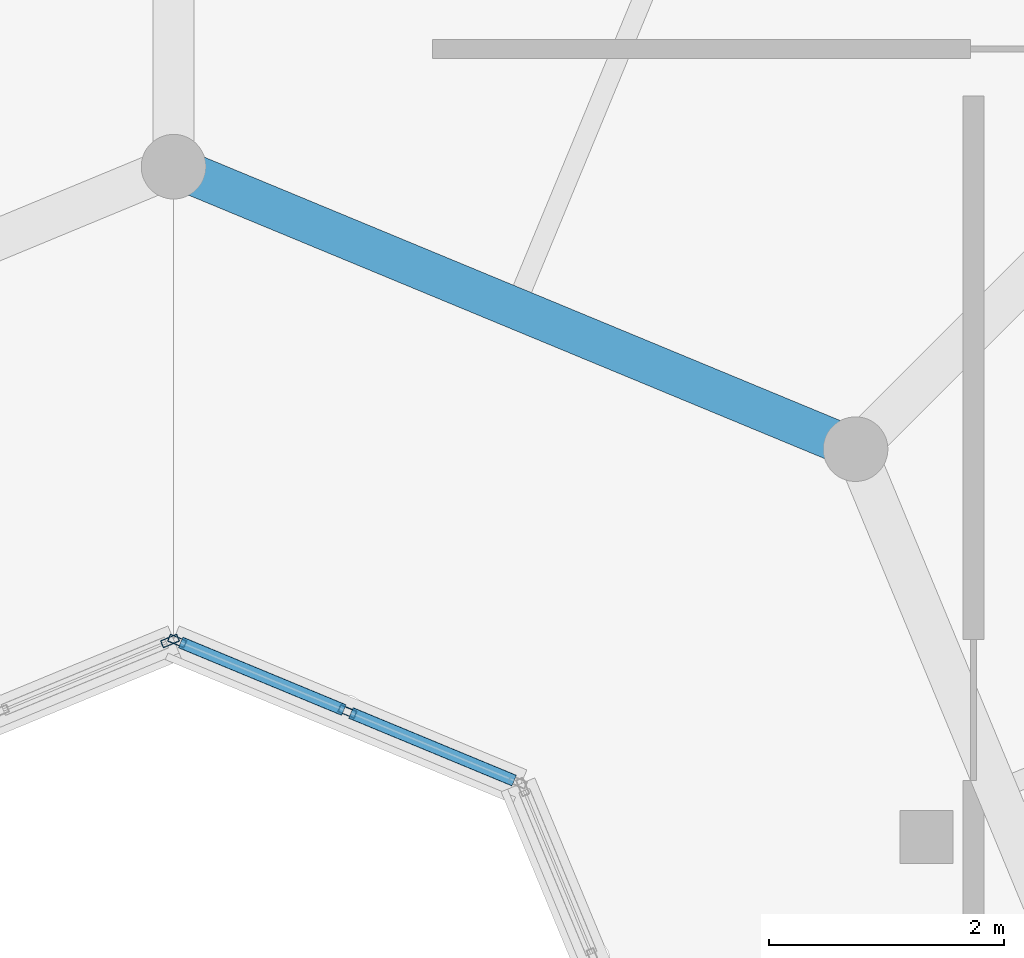
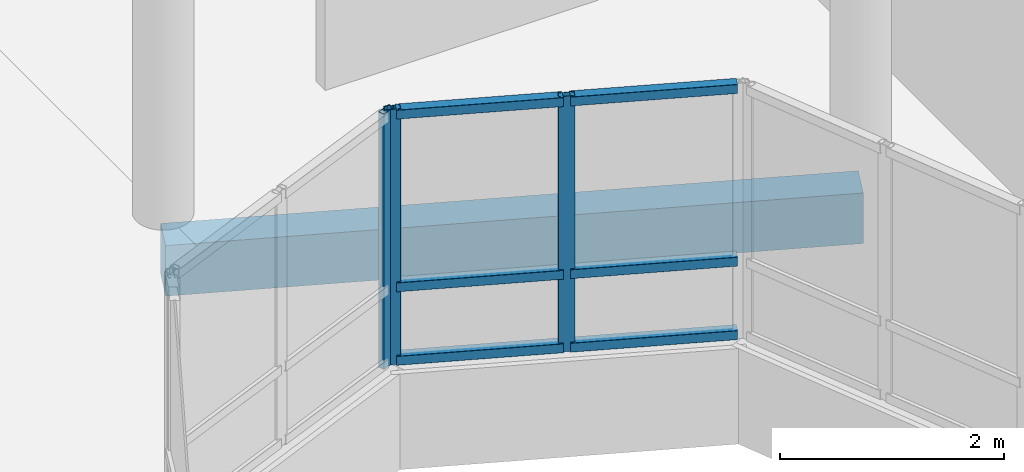
# One storey, part 72 of 121: 9 members, 1 beam, 2 elements without a shape of their own.
"""IFC4 building model written with IfcOpenShell, lengths in metres."""

from ifc_helpers import new_model, si_unit, direction, frame, origin, origin_2d, place, context, subcontext, project, spatial, rectangle, hollow_rectangle, extrude, material, layer, layer_set, material_profile, profile_set, type_object, element, aggregate, save


model = new_model("IFC4")

# Units and contexts
model_context = context("Model", 3, precision=1e-05, world=origin(), true_north=direction((0.0, 1.0)))
body_context = subcontext(model_context, "Body", "Model", "MODEL_VIEW")
ifc_project = project(units=[si_unit("LENGTHUNIT", "METRE"), si_unit("AREAUNIT", "SQUARE_METRE"), si_unit("VOLUMEUNIT", "CUBIC_METRE"), si_unit("PLANEANGLEUNIT", "RADIAN"), si_unit("MASSUNIT", "GRAM", prefix="KILO")], contexts=[model_context])

# Site, building, storey
site_placement = place(None, origin())
site = spatial("IfcSite", under=ifc_project, at=site_placement, CompositionType="ELEMENT")
building_placement = place(site_placement, origin())
building = spatial("IfcBuilding", under=site, at=building_placement, Name="Vespera Passage Community Centre", CompositionType="ELEMENT")
storey_placement = place(building_placement, frame((0.0, 0.0, 8.699951171875)))
storey = spatial("IfcBuildingStorey", under=building, at=storey_placement, Name="L02", CompositionType="ELEMENT", Elevation=8.699951171875)

# Beam
ifc_material_1 = material(Name="Concrete f'c 35 MPa", Category="concrete")
ifc_material_profile_1 = material_profile(ifc_material_1, rectangle(XDim=0.35009765625, YDim=0.550048828125, at=origin_2d()), Name="RC350X550")
ifc_profile_set_1 = profile_set([ifc_material_profile_1], Name="Concrete f'c 35 MPa")
beam_type = type_object("IfcBeamType", Name="BM-J-350X550", PredefinedType="JOIST", material=ifc_profile_set_1)
beam_placement = place(storey_placement, frame((146.79833984375, 30.79833984375, -0.514892578125), z_axis=(-0.92388740073, 0.382664436252, 0.0), x_axis=(-0.382664436252, -0.92388740073, 0.0)))
element("IfcBeam", 1, at=beam_placement, inside=storey, type_object=beam_type, Name="V3 L02 Inner Ring Beam 2", PredefinedType="JOIST", context=body_context, shape_type="SweptSolid", body=[
    extrude(rectangle(XDim=0.35009765625, YDim=0.550048828125, at=origin_2d()), origin(), (0.0, 0.0, 1.0), 6.276123046875),
])

# Curtain wall, members
ifc_material_2 = material(Name="Anodized aluminium 6063-T6", Category="aluminium")
ifc_layer = layer(ifc_material_2, 0.159912109375)
ifc_layer_set = layer_set([ifc_layer], Name="Anodized aluminium 6063-T6")
curtain_wall_type = type_object("IfcCurtainWallType", Name="CW-110E", PredefinedType="NOTDEFINED", material=ifc_layer_set)
curtain_wall_1_placement = place(storey_placement, origin())
curtain_wall_1 = element("IfcCurtainWall", 2, at=curtain_wall_1_placement, inside=storey, type_object=curtain_wall_type, Name="V3 L02 Inner Court Ribbon Curtain Wall 2", PredefinedType="NOTDEFINED")
ifc_material_3 = material(Name="Anodized aluminium 6063-T6", Category="aluminium")
ifc_material_profile_2 = material_profile(ifc_material_3, hollow_rectangle(XDim=0.06494140625, YDim=0.14990234375, WallThickness=0.00390625, InnerFilletRadius=0.001953125, OuterFilletRadius=0.00390625, at=origin_2d()), Name="ALU150X65X4")
ifc_profile_set_2 = profile_set([ifc_material_profile_2], Name="Anodized aluminium 6063-T6")
member_type_1 = type_object("IfcMemberType", Name="MB-CWM-150E", PredefinedType="MULLION", material=ifc_profile_set_2)
member_1_placement = place(storey_placement, frame((142.477783203125, 28.56787109375, 0.800048828125), z_axis=(0.0, 0.0, 1.0), x_axis=(-0.382685826549, -0.923878540804, 0.0)))
member_1 = element("IfcMember", 3, at=member_1_placement, type_object=member_type_1, Name="CW-110E mullion 2", PredefinedType="MULLION", context=body_context, shape_type="SweptSolid", body=[
    extrude(hollow_rectangle(XDim=0.06494140625, YDim=0.14990234375, WallThickness=0.00390625, InnerFilletRadius=0.001953125, OuterFilletRadius=0.00390625, at=origin_2d()), origin(), (0.0, 0.0, 1.0), 2.780029296875),
])
member_2_placement = place(storey_placement, frame((141.030029296875, 29.16748046875, 0.800048828125), z_axis=(0.0, 0.0, 1.0), x_axis=(-0.382685826549, -0.923878540804, 0.0)))
member_2 = element("IfcMember", 4, at=member_2_placement, type_object=member_type_1, Name="CW-110E mullion 3", PredefinedType="MULLION", context=body_context, shape_type="SweptSolid", body=[
    extrude(hollow_rectangle(XDim=0.06494140625, YDim=0.14990234375, WallThickness=0.00390625, InnerFilletRadius=0.001953125, OuterFilletRadius=0.00390625, at=origin_2d()), origin(), (0.0, 0.0, 1.0), 2.780029296875),
])

# Curtain wall, member
curtain_wall_2_placement = place(storey_placement, origin())
curtain_wall_2 = element("IfcCurtainWall", 5, at=curtain_wall_2_placement, inside=storey, type_object=curtain_wall_type, Name="V3 L02 Inner Court Ribbon Curtain Wall 3", PredefinedType="NOTDEFINED")
member_3_placement = place(storey_placement, frame((140.969970703125, 29.16748046875, 0.800048828125), z_axis=(0.0, 0.0, 1.0), x_axis=(0.382685826549, -0.923878540804, 0.0)))
member_3 = element("IfcMember", 6, at=member_3_placement, type_object=member_type_1, Name="CW-110E mullion 1", PredefinedType="MULLION", context=body_context, shape_type="SweptSolid", body=[
    extrude(hollow_rectangle(XDim=0.06494140625, YDim=0.14990234375, WallThickness=0.00390625, InnerFilletRadius=0.001953125, OuterFilletRadius=0.00390625, at=origin_2d()), origin(), (0.0, 0.0, 1.0), 2.780029296875),
])
aggregate(curtain_wall_2, [member_3])

# Member
ifc_material_4 = material(Name="Anodized aluminium 6063-T6", Category="aluminium")
ifc_material_profile_3 = material_profile(ifc_material_4, hollow_rectangle(XDim=0.10009765625, YDim=0.10009765625, WallThickness=0.00390625, InnerFilletRadius=0.001953125, OuterFilletRadius=0.00390625, at=origin_2d()), Name="ALU100X100X4")
ifc_profile_set_3 = profile_set([ifc_material_profile_3], Name="Anodized aluminium 6063-T6")
member_type_2 = type_object("IfcMemberType", Name="MB-CWT-100E", PredefinedType="USERDEFINED", material=ifc_profile_set_3)
member_4_placement = place(storey_placement, frame((143.895751953125, 27.98046875, 0.85009765625), z_axis=(-0.923868276622, 0.382710605355, 0.0), x_axis=(-0.382710605355, -0.923868276622, 0.0)))
member_4 = element("IfcMember", 7, at=member_4_placement, type_object=member_type_2, Name="CW-110E transom 1.1", ObjectType="TRANSOM", PredefinedType="USERDEFINED", context=body_context, shape_type="SweptSolid", body=[
    extrude(hollow_rectangle(XDim=0.10009765625, YDim=0.10009765625, WallThickness=0.00390625, InnerFilletRadius=0.001953125, OuterFilletRadius=0.00390625, at=origin_2d()), origin(), (0.0, 0.0, 1.0), 1.502197265625),
])

member_5_placement = place(storey_placement, frame((143.895751953125, 27.98046875, 1.650146484375), z_axis=(-0.923868276622, 0.382710605355, 0.0), x_axis=(-0.382710605355, -0.923868276622, 0.0)))
member_5 = element("IfcMember", 8, at=member_5_placement, type_object=member_type_2, Name="CW-110E transom 1.2", ObjectType="TRANSOM", PredefinedType="USERDEFINED", context=body_context, shape_type="SweptSolid", body=[
    extrude(hollow_rectangle(XDim=0.10009765625, YDim=0.10009765625, WallThickness=0.00390625, InnerFilletRadius=0.001953125, OuterFilletRadius=0.00390625, at=origin_2d()), origin(), (0.0, 0.0, 1.0), 1.502197265625),
])

member_6_placement = place(storey_placement, frame((143.895751953125, 27.98046875, 3.530029296875), z_axis=(-0.923868276622, 0.382710605355, 0.0), x_axis=(-0.382710605355, -0.923868276622, 0.0)))
member_6 = element("IfcMember", 9, at=member_6_placement, type_object=member_type_2, Name="CW-110E transom 1.3", ObjectType="TRANSOM", PredefinedType="USERDEFINED", context=body_context, shape_type="SweptSolid", body=[
    extrude(hollow_rectangle(XDim=0.10009765625, YDim=0.10009765625, WallThickness=0.00390625, InnerFilletRadius=0.001953125, OuterFilletRadius=0.00390625, at=origin_2d()), origin(), (0.0, 0.0, 1.0), 1.502197265625),
])

member_7_placement = place(storey_placement, frame((142.44775390625, 28.580322265625, 0.85009765625), z_axis=(-0.923901937079, 0.382629338474, 0.0), x_axis=(-0.382629338474, -0.923901937079, 0.0)))
member_7 = element("IfcMember", 10, at=member_7_placement, type_object=member_type_2, Name="CW-110E transom 2.1", ObjectType="TRANSOM", PredefinedType="USERDEFINED", context=body_context, shape_type="SweptSolid", body=[
    extrude(hollow_rectangle(XDim=0.10009765625, YDim=0.10009765625, WallThickness=0.00390625, InnerFilletRadius=0.001953125, OuterFilletRadius=0.00390625, at=origin_2d()), origin(), (0.0, 0.0, 1.0), 1.501953125),
])

member_8_placement = place(storey_placement, frame((142.44775390625, 28.580322265625, 1.650146484375), z_axis=(-0.923901937079, 0.382629338474, 0.0), x_axis=(-0.382629338474, -0.923901937079, 0.0)))
member_8 = element("IfcMember", 11, at=member_8_placement, type_object=member_type_2, Name="CW-110E transom 2.2", ObjectType="TRANSOM", PredefinedType="USERDEFINED", context=body_context, shape_type="SweptSolid", body=[
    extrude(hollow_rectangle(XDim=0.10009765625, YDim=0.10009765625, WallThickness=0.00390625, InnerFilletRadius=0.001953125, OuterFilletRadius=0.00390625, at=origin_2d()), origin(), (0.0, 0.0, 1.0), 1.501953125),
])

member_9_placement = place(storey_placement, frame((142.44775390625, 28.580322265625, 3.530029296875), z_axis=(-0.923901937079, 0.382629338474, 0.0), x_axis=(-0.382629338474, -0.923901937079, 0.0)))
member_9 = element("IfcMember", 12, at=member_9_placement, type_object=member_type_2, Name="CW-110E transom 2.3", ObjectType="TRANSOM", PredefinedType="USERDEFINED", context=body_context, shape_type="SweptSolid", body=[
    extrude(hollow_rectangle(XDim=0.10009765625, YDim=0.10009765625, WallThickness=0.00390625, InnerFilletRadius=0.001953125, OuterFilletRadius=0.00390625, at=origin_2d()), origin(), (0.0, 0.0, 1.0), 1.501953125),
])

aggregate(curtain_wall_1, [member_1, member_2, member_4, member_5, member_6, member_7, member_8, member_9])

save(model, "model.ifc")
